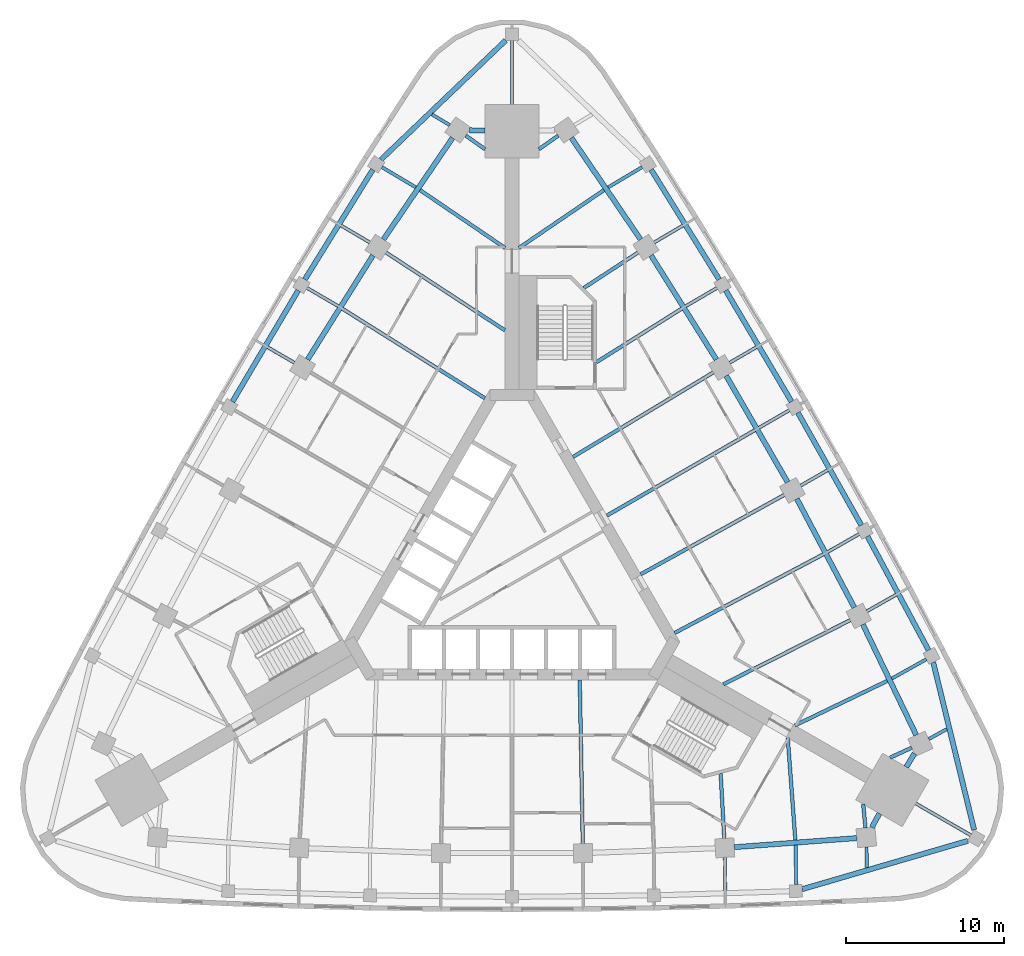
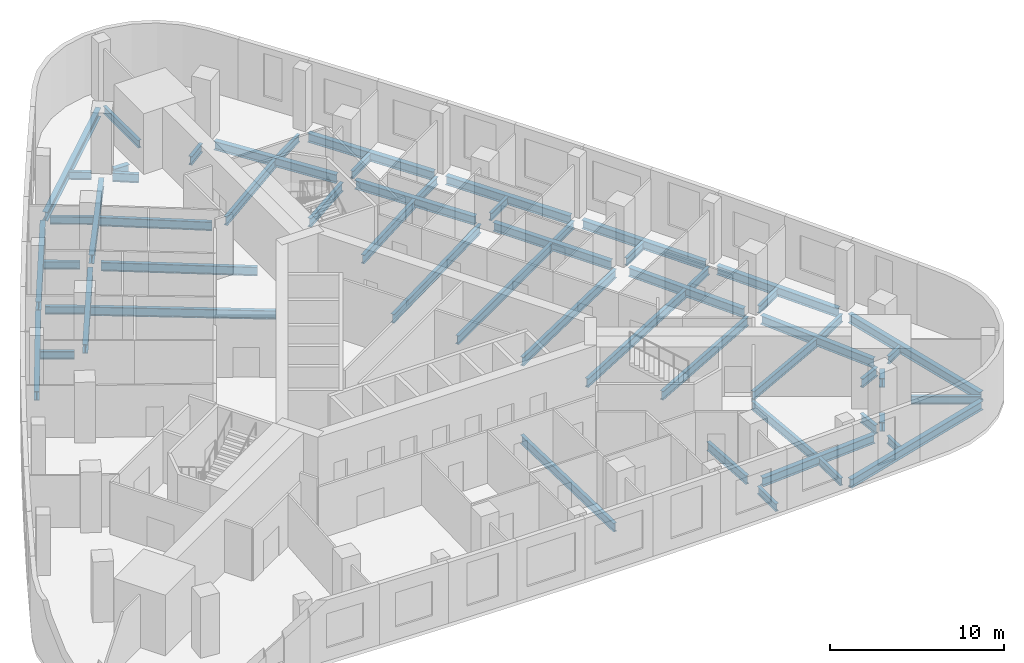
# One storey, part 2 of 11: 59 beams.
"""IFC4 building model written with IfcOpenShell, lengths in metres."""

from ifc_helpers import new_model, si_unit, direction, frame, origin, origin_2d, place, context, subcontext, project, spatial, i_section, extrude, material, material_profile, profile_set, type_object, element, save


model = new_model("IFC4")

# Units and contexts
model_context = context("Model", 3, precision=1e-05, world=origin(), true_north=direction((0.0, 1.0)))
body_context = subcontext(model_context, "Body", "Model", "MODEL_VIEW")
ifc_project = project(units=[si_unit("LENGTHUNIT", "METRE"), si_unit("AREAUNIT", "SQUARE_METRE"), si_unit("VOLUMEUNIT", "CUBIC_METRE"), si_unit("PLANEANGLEUNIT", "RADIAN"), si_unit("MASSUNIT", "GRAM", prefix="KILO")], contexts=[model_context])

# Site, building, storey
site_placement = place(None, origin())
site = spatial("IfcSite", under=ifc_project, at=site_placement, CompositionType="ELEMENT")
building_placement = place(site_placement, origin())
building = spatial("IfcBuilding", under=site, at=building_placement, Name="Noor Cloister Tower", CompositionType="ELEMENT")
storey_placement = place(building_placement, frame((0.0, 0.0, 10.5)))
storey = spatial("IfcBuildingStorey", under=building, at=storey_placement, Name="L02", CompositionType="ELEMENT", Elevation=10.5)

# Beams
ifc_material_1 = material(Name="Steel ASTM A992 Gr 50", Category="steel")
ifc_material_profile_1 = material_profile(ifc_material_1, i_section(OverallWidth=0.324951171875, OverallDepth=0.612060546875, WebThickness=0.0126953125, FlangeThickness=0.01904296875, FilletRadius=0.0126953125, at=origin_2d()), Name="W610x155")
ifc_profile_set_1 = profile_set([ifc_material_profile_1], Name="Steel ASTM A992 Gr 50")
beam_type_1 = type_object("IfcBeamType", Name="Podium column line beam W610x155", PredefinedType="BEAM", material=ifc_profile_set_1)
for number, where, z_axis, x_axis, name in (
    (1, (-3.7587890625, 27.36376953125, -0.555908203125), (-0.562836146896, -0.826568491867, 0.0), (0.826568491867, -0.562836146896, 0.0), "Podium column line beam NW 00 L02"),
    (2, (-8.7939453125, 19.9296875, -0.555908203125), (-0.531794830589, -0.846873224373, 0.0), (0.846873224373, -0.531794830589, 0.0), "Podium column line beam NW 02 L02"),
):
    element("IfcBeam", number, at=place(storey_placement, frame(where, z_axis=z_axis, x_axis=x_axis)), inside=storey, type_object=beam_type_1, Name=name, PredefinedType="BEAM", context=body_context, shape_type="SweptSolid", body=[
        extrude(i_section(OverallWidth=0.324951171875, OverallDepth=0.612060546875, WebThickness=0.0126953125, FlangeThickness=0.01904296875, FilletRadius=0.0126953125, at=origin_2d()), origin(), (0.0, 0.0, 1.0), 7.77880859375),
    ])
beam_1_placement = place(storey_placement, frame((14.060791015625, -17.513916015625, -0.555908203125), z_axis=(0.997246218275, 0.074161850945, 0.0), x_axis=(-0.074161850945, 0.997246218275, 0.0)))
element("IfcBeam", 3, at=beam_1_placement, inside=storey, type_object=beam_type_1, Name="Podium column line beam S 08 L02", PredefinedType="BEAM", context=body_context, shape_type="SweptSolid", body=[
    extrude(i_section(OverallWidth=0.324951171875, OverallDepth=0.612060546875, WebThickness=0.0126953125, FlangeThickness=0.01904296875, FilletRadius=0.0126953125, at=origin_2d()), origin(), (0.0, 0.0, 1.0), 7.779052734375),
])
for number, where, z_axis, x_axis, name in (
    (4, (25.5771484375, -10.4267578125, -0.555908203125), (-0.434400589533, 0.900719783181, 0.0), (-0.900719783181, -0.434400589533, 0.0), "Podium column line beam NE 00 L02"),
    (5, (21.65673828125, -2.34912109375, -0.555908203125), (-0.467547366886, 0.883968019624, 0.0), (-0.883968019624, -0.467547366886, 0.0), "Podium column line beam NE 02 L02"),
):
    element("IfcBeam", number, at=place(storey_placement, frame(where, z_axis=z_axis, x_axis=x_axis)), inside=storey, type_object=beam_type_1, Name=name, PredefinedType="BEAM", context=body_context, shape_type="SweptSolid", body=[
        extrude(i_section(OverallWidth=0.324951171875, OverallDepth=0.612060546875, WebThickness=0.0126953125, FlangeThickness=0.01904296875, FilletRadius=0.0126953125, at=origin_2d()), origin(), (0.0, 0.0, 1.0), 7.77880859375),
    ])
beam_2_placement = place(storey_placement, frame((17.439208984375, 5.577392578125, -0.555908203125), z_axis=(-0.499990506207, 0.866030884959, 0.0), x_axis=(-0.866030884959, -0.499990506207, 0.0)))
element("IfcBeam", 6, at=beam_2_placement, inside=storey, type_object=beam_type_1, Name="Podium column line beam NE 04 L02", PredefinedType="BEAM", context=body_context, shape_type="SweptSolid", body=[
    extrude(i_section(OverallWidth=0.324951171875, OverallDepth=0.612060546875, WebThickness=0.0126953125, FlangeThickness=0.01904296875, FilletRadius=0.0126953125, at=origin_2d()), origin(), (0.0, 0.0, 1.0), 7.779052734375),
])
for number, where, z_axis, x_axis, name in (
    (7, (12.9306640625, 13.342041015625, -0.555908203125), (-0.531794830589, 0.846873224373, 0.0), (-0.846873224373, -0.531794830589, 0.0), "Podium column line beam NE 06 L02"),
    (8, (8.136962890625, 20.93408203125, -0.555908203125), (-0.562836146896, 0.826568491867, 0.0), (-0.826568491867, -0.562836146896, 0.0), "Podium column line beam NE 08 L02"),
):
    element("IfcBeam", number, at=place(storey_placement, frame(where, z_axis=z_axis, x_axis=x_axis)), inside=storey, type_object=beam_type_1, Name=name, PredefinedType="BEAM", context=body_context, shape_type="SweptSolid", body=[
        extrude(i_section(OverallWidth=0.324951171875, OverallDepth=0.612060546875, WebThickness=0.0126953125, FlangeThickness=0.01904296875, FilletRadius=0.0126953125, at=origin_2d()), origin(), (0.0, 0.0, 1.0), 7.77880859375),
    ])
for number, where, z_axis, x_axis, name in (
    (9, (-2.6962890625, 27.8447265625, -0.555908203125), (0.999788233423, -0.020578831563, 0.0), (0.020578831563, 0.999788233423, 0.0), "Podium end beam NW 00 L02"),
    (10, (22.76611328125, -16.257568359375, -0.555908203125), (0.48185292196, 0.876252110753, 0.0), (-0.876252110753, 0.48185292196, 0.0), "Podium end beam S 10 L02"),
    (11, (25.46240234375, -11.58740234375, -0.555908203125), (-0.517698861359, -0.855562907651, 0.0), (0.855562907651, -0.517698861359, 0.0), "Podium end beam NE 00 L02"),
):
    element("IfcBeam", number, at=place(storey_placement, frame(where, z_axis=z_axis, x_axis=x_axis)), inside=storey, type_object=beam_type_1, Name=name, PredefinedType="BEAM", context=body_context, shape_type="SweptSolid", body=[
        extrude(i_section(OverallWidth=0.324951171875, OverallDepth=0.612060546875, WebThickness=0.0126953125, FlangeThickness=0.01904296875, FilletRadius=0.0126953125, at=origin_2d()), origin(), (0.0, 0.0, 1.0), 0.99658203125),
    ])
ifc_material_2 = material(Name="Steel ASTM A992 Gr 50", Category="steel")
ifc_material_profile_2 = material_profile(ifc_material_2, i_section(OverallWidth=0.324951171875, OverallDepth=0.616943359375, WebThickness=0.013916015625, FlangeThickness=0.021484375, FilletRadius=0.0126953125, at=origin_2d()), Name="W610x174")
ifc_profile_set_2 = profile_set([ifc_material_profile_2], Name="Steel ASTM A992 Gr 50")
beam_type_2 = type_object("IfcBeamType", Name="Podium perimeter beam W610x174", PredefinedType="BEAM", material=ifc_profile_set_2)
beam_3_placement = place(storey_placement, frame((-0.39990234375, 33.530517578125, -0.55859375), z_axis=(-0.722642827837, -0.691221631154, 0.0), x_axis=(0.691221631154, -0.722642827837, 0.0)))
element("IfcBeam", 12, at=beam_3_placement, inside=storey, type_object=beam_type_2, Name="Podium perimeter beam 01 L02", PredefinedType="BEAM", context=body_context, shape_type="SweptSolid", body=[
    extrude(i_section(OverallWidth=0.324951171875, OverallDepth=0.616943359375, WebThickness=0.013916015625, FlangeThickness=0.021484375, FilletRadius=0.0126953125, at=origin_2d()), origin(), (0.0, 0.0, 1.0), 10.924560546875),
])
beam_4_placement = place(storey_placement, frame((-8.802978515625, 25.3544921875, -0.55859375), z_axis=(-0.526431670639, -0.85021744051, 0.0), x_axis=(0.85021744051, -0.526431670639, 0.0)))
element("IfcBeam", 13, at=beam_4_placement, inside=storey, type_object=beam_type_2, Name="Podium perimeter beam 02 L02", PredefinedType="BEAM", context=body_context, shape_type="SweptSolid", body=[
    extrude(i_section(OverallWidth=0.324951171875, OverallDepth=0.616943359375, WebThickness=0.013916015625, FlangeThickness=0.021484375, FilletRadius=0.0126953125, at=origin_2d()), origin(), (0.0, 0.0, 1.0), 8.180419921875),
])
beam_5_placement = place(storey_placement, frame((-13.5234375, 17.71484375, -0.55859375), z_axis=(-0.508871084259, -0.860842738022, 0.0), x_axis=(0.860842738022, -0.508871084259, 0.0)))
element("IfcBeam", 14, at=beam_5_placement, inside=storey, type_object=beam_type_2, Name="Podium perimeter beam 03 L02", PredefinedType="BEAM", context=body_context, shape_type="SweptSolid", body=[
    extrude(i_section(OverallWidth=0.324951171875, OverallDepth=0.616943359375, WebThickness=0.013916015625, FlangeThickness=0.021484375, FilletRadius=0.0126953125, at=origin_2d()), origin(), (0.0, 0.0, 1.0), 8.18017578125),
])
for number, where, z_axis, x_axis, name in (
    (15, (18.3515625, -20.1728515625, -0.55859375), (0.959935397728, 0.280221398522, 0.0), (-0.280221398522, 0.959935397728, 0.0), "Podium perimeter beam 12 L02"),
    (16, (29.23828125, -16.4189453125, -0.55859375), (-0.237289539542, 0.971438971024, 0.0), (-0.971438971024, -0.237289539542, 0.0), "Podium perimeter beam 13 L02"),
):
    element("IfcBeam", number, at=place(storey_placement, frame(where, z_axis=z_axis, x_axis=x_axis)), inside=storey, type_object=beam_type_2, Name=name, PredefinedType="BEAM", context=body_context, shape_type="SweptSolid", body=[
        extrude(i_section(OverallWidth=0.324951171875, OverallDepth=0.616943359375, WebThickness=0.013916015625, FlangeThickness=0.021484375, FilletRadius=0.0126953125, at=origin_2d()), origin(), (0.0, 0.0, 1.0), 10.924560546875),
    ])
for number, where, z_axis, x_axis, name in (
    (17, (26.35888671875, -5.0537109375, -0.55859375), (-0.47307258725, 0.881023454394, 0.0), (-0.881023454394, -0.47307258725, 0.0), "Podium perimeter beam 14 L02"),
    (18, (22.103271484375, 2.854248046875, -0.55859375), (-0.491071539523, 0.871119247331, 0.0), (-0.871119247331, -0.491071539523, 0.0), "Podium perimeter beam 15 L02"),
    (19, (17.68603515625, 10.673095703125, -0.55859375), (-0.508871084259, 0.860842738022, 0.0), (-0.860842738022, -0.508871084259, 0.0), "Podium perimeter beam 16 L02"),
):
    element("IfcBeam", number, at=place(storey_placement, frame(where, z_axis=z_axis, x_axis=x_axis)), inside=storey, type_object=beam_type_2, Name=name, PredefinedType="BEAM", context=body_context, shape_type="SweptSolid", body=[
        extrude(i_section(OverallWidth=0.324951171875, OverallDepth=0.616943359375, WebThickness=0.013916015625, FlangeThickness=0.021484375, FilletRadius=0.0126953125, at=origin_2d()), origin(), (0.0, 0.0, 1.0), 8.18017578125),
    ])
beam_6_placement = place(storey_placement, frame((13.109375, 18.3994140625, -0.55859375), z_axis=(-0.526431670639, 0.85021744051, 0.0), x_axis=(-0.85021744051, -0.526431670639, 0.0)))
element("IfcBeam", 20, at=beam_6_placement, inside=storey, type_object=beam_type_2, Name="Podium perimeter beam 17 L02", PredefinedType="BEAM", context=body_context, shape_type="SweptSolid", body=[
    extrude(i_section(OverallWidth=0.324951171875, OverallDepth=0.616943359375, WebThickness=0.013916015625, FlangeThickness=0.021484375, FilletRadius=0.0126953125, at=origin_2d()), origin(), (0.0, 0.0, 1.0), 8.180419921875),
])
ifc_material_3 = material(Name="Steel ASTM A992 Gr 50", Category="steel")
ifc_material_profile_3 = material_profile(ifc_material_3, i_section(OverallWidth=0.22900390625, OverallDepth=0.612060546875, WebThickness=0.011962890625, FlangeThickness=0.01953125, FilletRadius=0.0126953125, at=origin_2d()), Name="W610x125")
ifc_profile_set_3 = profile_set([ifc_material_profile_3], Name="Steel ASTM A992 Gr 50")
beam_type_3 = type_object("IfcBeamType", Name="Podium radial beam W610x125", PredefinedType="BEAM", material=ifc_profile_set_3)
beam_7_placement = place(storey_placement, frame((-2.931396484375, 27.512939453125, -0.555908203125), z_axis=(0.816011763041, -0.578035295271, 0.0), x_axis=(0.578035295271, 0.816011763041, 0.0)))
element("IfcBeam", 21, at=beam_7_placement, inside=storey, type_object=beam_type_3, Name="Podium radial beam NW 00 L02", PredefinedType="BEAM", context=body_context, shape_type="SweptSolid", body=[
    extrude(i_section(OverallWidth=0.22900390625, OverallDepth=0.612060546875, WebThickness=0.011962890625, FlangeThickness=0.01953125, FilletRadius=0.0126953125, at=origin_2d()), origin(), (0.0, 0.0, 1.0), 1.509033203125),
])
beam_8_placement = place(storey_placement, frame((-5.813720703125, 24.057373046875, -0.555908203125), z_axis=(0.826586958388, -0.562809026423, 0.0), x_axis=(0.562809026423, 0.826586958388, 0.0)))
element("IfcBeam", 22, at=beam_8_placement, inside=storey, type_object=beam_type_3, Name="Podium radial beam NW 01 L02", PredefinedType="BEAM", context=body_context, shape_type="SweptSolid", body=[
    extrude(i_section(OverallWidth=0.22900390625, OverallDepth=0.612060546875, WebThickness=0.011962890625, FlangeThickness=0.01953125, FilletRadius=0.0126953125, at=origin_2d()), origin(), (0.0, 0.0, 1.0), 6.489013671875),
])
beam_9_placement = place(storey_placement, frame((-7.97265625, 20.109619140625, -0.555908203125), z_axis=(0.836869601911, -0.547402292101, 0.0), x_axis=(0.547402292101, 0.836869601911, 0.0)))
element("IfcBeam", 23, at=beam_9_placement, inside=storey, type_object=beam_type_3, Name="Podium radial beam NW 02 L02", PredefinedType="BEAM", context=body_context, shape_type="SweptSolid", body=[
    extrude(i_section(OverallWidth=0.22900390625, OverallDepth=0.612060546875, WebThickness=0.011962890625, FlangeThickness=0.01953125, FilletRadius=0.0126953125, at=origin_2d()), origin(), (0.0, 0.0, 1.0), 8.989013671875),
])
beam_10_placement = place(storey_placement, frame((-10.724609375, 16.549560546875, -0.555908203125), z_axis=(0.846875091453, -0.531791857287, 0.0), x_axis=(0.531791857287, 0.846875091453, 0.0)))
element("IfcBeam", 24, at=beam_10_placement, inside=storey, type_object=beam_type_3, Name="Podium radial beam NW 03 L02", PredefinedType="BEAM", context=body_context, shape_type="SweptSolid", body=[
    extrude(i_section(OverallWidth=0.22900390625, OverallDepth=0.612060546875, WebThickness=0.011962890625, FlangeThickness=0.01953125, FilletRadius=0.0126953125, at=origin_2d()), origin(), (0.0, 0.0, 1.0), 10.6416015625),
])
beam_11_placement = place(storey_placement, frame((4.478515625, -17.29150390625, -0.555908203125), z_axis=(-0.018560692037, 0.999827735518, 0.0), x_axis=(-0.999827735518, -0.018560692037, 0.0)))
element("IfcBeam", 25, at=beam_11_placement, inside=storey, type_object=beam_type_3, Name="Podium radial beam S 06 L02", PredefinedType="BEAM", context=body_context, shape_type="SweptSolid", body=[
    extrude(i_section(OverallWidth=0.22900390625, OverallDepth=0.612060546875, WebThickness=0.011962890625, FlangeThickness=0.01953125, FilletRadius=0.0126953125, at=origin_2d()), origin(), (0.0, 0.0, 1.0), 10.364990234375),
])
beam_12_placement = place(storey_placement, frame((13.428955078125, -16.959228515625, -0.555908203125), z_axis=(-0.055591728913, 0.998453584137, 0.0), x_axis=(-0.998453584137, -0.055591728913, 0.0)))
element("IfcBeam", 26, at=beam_12_placement, inside=storey, type_object=beam_type_3, Name="Podium radial beam S 08 L02", PredefinedType="BEAM", context=body_context, shape_type="SweptSolid", body=[
    extrude(i_section(OverallWidth=0.22900390625, OverallDepth=0.612060546875, WebThickness=0.011962890625, FlangeThickness=0.01953125, FilletRadius=0.0126953125, at=origin_2d()), origin(), (0.0, 0.0, 1.0), 4.110595703125),
])
beam_13_placement = place(storey_placement, frame((17.927490234375, -17.0634765625, -0.555908203125), z_axis=(-0.074118366359, 0.997249451125, 0.0), x_axis=(-0.997249451125, -0.074118366359, 0.0)))
element("IfcBeam", 27, at=beam_13_placement, inside=storey, type_object=beam_type_3, Name="Podium radial beam S 09 L02", PredefinedType="BEAM", context=body_context, shape_type="SweptSolid", body=[
    extrude(i_section(OverallWidth=0.22900390625, OverallDepth=0.612060546875, WebThickness=0.011962890625, FlangeThickness=0.01953125, FilletRadius=0.0126953125, at=origin_2d()), origin(), (0.0, 0.0, 1.0), 6.489013671875),
])
for number, where, z_axis, x_axis, name in (
    (28, (22.361328125, -16.295166015625, -0.555908203125), (-0.09269423525, 0.995694621233, 0.0), (-0.995694621233, -0.09269423525, 0.0), "Podium radial beam S 10 L02"),
    (29, (25.292724609375, -11.2177734375, -0.555908203125), (-0.908602193803, -0.417662607157, 0.0), (0.417662607157, -0.908602193803, 0.0), "Podium radial beam NE 00 L02"),
):
    element("IfcBeam", number, at=place(storey_placement, frame(where, z_axis=z_axis, x_axis=x_axis)), inside=storey, type_object=beam_type_3, Name=name, PredefinedType="BEAM", context=body_context, shape_type="SweptSolid", body=[
        extrude(i_section(OverallWidth=0.22900390625, OverallDepth=0.612060546875, WebThickness=0.011962890625, FlangeThickness=0.01953125, FilletRadius=0.0126953125, at=origin_2d()), origin(), (0.0, 0.0, 1.0), 1.50927734375),
    ])
beam_14_placement = place(storey_placement, frame((23.7412109375, -6.993896484375, -0.555908203125), z_axis=(-0.900702438264, -0.43443655199, 0.0), x_axis=(0.43443655199, -0.900702438264, 0.0)))
element("IfcBeam", 30, at=beam_14_placement, inside=storey, type_object=beam_type_3, Name="Podium radial beam NE 01 L02", PredefinedType="BEAM", context=body_context, shape_type="SweptSolid", body=[
    extrude(i_section(OverallWidth=0.22900390625, OverallDepth=0.612060546875, WebThickness=0.011962890625, FlangeThickness=0.01953125, FilletRadius=0.0126953125, at=origin_2d()), origin(), (0.0, 0.0, 1.0), 6.489013671875),
])
beam_15_placement = place(storey_placement, frame((21.401611328125, -3.150146484375, -0.555908203125), z_axis=(-0.892490546955, -0.451066096705, 0.0), x_axis=(0.451066096705, -0.892490546955, 0.0)))
element("IfcBeam", 31, at=beam_15_placement, inside=storey, type_object=beam_type_3, Name="Podium radial beam NE 02 L02", PredefinedType="BEAM", context=body_context, shape_type="SweptSolid", body=[
    extrude(i_section(OverallWidth=0.22900390625, OverallDepth=0.612060546875, WebThickness=0.011962890625, FlangeThickness=0.01953125, FilletRadius=0.0126953125, at=origin_2d()), origin(), (0.0, 0.0, 1.0), 8.989013671875),
])
beam_16_placement = place(storey_placement, frame((19.694580078125, 1.01318359375, -0.555908203125), z_axis=(-0.883975349121, -0.467533509116, 0.0), x_axis=(0.467533509116, -0.883975349121, 0.0)))
element("IfcBeam", 32, at=beam_16_placement, inside=storey, type_object=beam_type_3, Name="Podium radial beam NE 03 L02", PredefinedType="BEAM", context=body_context, shape_type="SweptSolid", body=[
    extrude(i_section(OverallWidth=0.22900390625, OverallDepth=0.612060546875, WebThickness=0.011962890625, FlangeThickness=0.01953125, FilletRadius=0.0126953125, at=origin_2d()), origin(), (0.0, 0.0, 1.0), 10.6416015625),
])
beam_17_placement = place(storey_placement, frame((17.214111328125, 4.767333984375, -0.555908203125), z_axis=(-0.875152039929, -0.483848020568, 0.0), x_axis=(0.483848020568, -0.875152039929, 0.0)))
element("IfcBeam", 33, at=beam_17_placement, inside=storey, type_object=beam_type_3, Name="Podium radial beam NE 04 L02", PredefinedType="BEAM", context=body_context, shape_type="SweptSolid", body=[
    extrude(i_section(OverallWidth=0.22900390625, OverallDepth=0.612060546875, WebThickness=0.011962890625, FlangeThickness=0.01953125, FilletRadius=0.0126953125, at=origin_2d()), origin(), (0.0, 0.0, 1.0), 10.364990234375),
])
beam_18_placement = place(storey_placement, frame((15.353759765625, 8.864501953125, -0.555908203125), z_axis=(-0.866025607992, -0.499999646302, 0.0), x_axis=(0.499999646302, -0.866025607992, 0.0)))
element("IfcBeam", 34, at=beam_18_placement, inside=storey, type_object=beam_type_3, Name="Podium radial beam NE 05 L02", PredefinedType="BEAM", context=body_context, shape_type="SweptSolid", body=[
    extrude(i_section(OverallWidth=0.22900390625, OverallDepth=0.612060546875, WebThickness=0.011962890625, FlangeThickness=0.01953125, FilletRadius=0.0126953125, at=origin_2d()), origin(), (0.0, 0.0, 1.0), 10.80078125),
])
beam_19_placement = place(storey_placement, frame((12.73583984375, 12.524169921875, -0.555908203125), z_axis=(-0.856606308575, -0.515970572911, 0.0), x_axis=(0.515970572911, -0.856606308575, 0.0)))
element("IfcBeam", 35, at=beam_19_placement, inside=storey, type_object=beam_type_3, Name="Podium radial beam NE 06 L02", PredefinedType="BEAM", context=body_context, shape_type="SweptSolid", body=[
    extrude(i_section(OverallWidth=0.22900390625, OverallDepth=0.612060546875, WebThickness=0.011962890625, FlangeThickness=0.01953125, FilletRadius=0.0126953125, at=origin_2d()), origin(), (0.0, 0.0, 1.0), 10.365234375),
])
beam_20_placement = place(storey_placement, frame((10.724609375, 16.549560546875, -0.555908203125), z_axis=(-0.846869093356, -0.531801409098, 0.0), x_axis=(0.531801409098, -0.846869093356, 0.0)))
element("IfcBeam", 36, at=beam_20_placement, inside=storey, type_object=beam_type_3, Name="Podium radial beam NE 07 L02", PredefinedType="BEAM", context=body_context, shape_type="SweptSolid", body=[
    extrude(i_section(OverallWidth=0.22900390625, OverallDepth=0.612060546875, WebThickness=0.011962890625, FlangeThickness=0.01953125, FilletRadius=0.0126953125, at=origin_2d()), origin(), (0.0, 0.0, 1.0), 6.36328125),
])
beam_21_placement = place(storey_placement, frame((7.97265625, 20.109619140625, -0.555908203125), z_axis=(-0.836852408304, -0.547428576816, 0.0), x_axis=(0.547428576816, -0.836852408304, 0.0)))
element("IfcBeam", 37, at=beam_21_placement, inside=storey, type_object=beam_type_3, Name="Podium radial beam NE 08 L02", PredefinedType="BEAM", context=body_context, shape_type="SweptSolid", body=[
    extrude(i_section(OverallWidth=0.22900390625, OverallDepth=0.612060546875, WebThickness=0.011962890625, FlangeThickness=0.01953125, FilletRadius=0.0126953125, at=origin_2d()), origin(), (0.0, 0.0, 1.0), 4.110595703125),
])
beam_22_placement = place(storey_placement, frame((5.813720703125, 24.057373046875, -0.555908203125), z_axis=(-0.826586958388, -0.562809026423, 0.0), x_axis=(0.562809026423, -0.826586958388, 0.0)))
element("IfcBeam", 38, at=beam_22_placement, inside=storey, type_object=beam_type_3, Name="Podium radial beam NE 09 L02", PredefinedType="BEAM", context=body_context, shape_type="SweptSolid", body=[
    extrude(i_section(OverallWidth=0.22900390625, OverallDepth=0.612060546875, WebThickness=0.011962890625, FlangeThickness=0.01953125, FilletRadius=0.0126953125, at=origin_2d()), origin(), (0.0, 0.0, 1.0), 6.489013671875),
])
beam_23_placement = place(storey_placement, frame((2.931396484375, 27.512939453125, -0.555908203125), z_axis=(-0.816011763041, -0.578035295271, 0.0), x_axis=(0.578035295271, -0.816011763041, 0.0)))
element("IfcBeam", 39, at=beam_23_placement, inside=storey, type_object=beam_type_3, Name="Podium radial beam NE 10 L02", PredefinedType="BEAM", context=body_context, shape_type="SweptSolid", body=[
    extrude(i_section(OverallWidth=0.22900390625, OverallDepth=0.612060546875, WebThickness=0.011962890625, FlangeThickness=0.01953125, FilletRadius=0.0126953125, at=origin_2d()), origin(), (0.0, 0.0, 1.0), 1.509033203125),
])
ifc_material_4 = material(Name="Steel ASTM A992 Gr 50", Category="steel")
ifc_material_profile_4 = material_profile(ifc_material_4, i_section(OverallWidth=0.208984375, OverallDepth=0.532958984375, WebThickness=0.01025390625, FlangeThickness=0.015625, FilletRadius=0.0126953125, at=origin_2d()), Name="W530x92")
ifc_profile_set_4 = profile_set([ifc_material_profile_4], Name="Steel ASTM A992 Gr 50")
beam_type_4 = type_object("IfcBeamType", Name="Podium stub beam W530x92", PredefinedType="BEAM", material=ifc_profile_set_4)
beam_24_placement = place(storey_placement, frame((-3.936767578125, 28.169921875, -0.5166015625), z_axis=(-0.85703318355, 0.515261217534, 0.0), x_axis=(-0.515261217534, -0.85703318355, 0.0)))
element("IfcBeam", 40, at=beam_24_placement, inside=storey, type_object=beam_type_4, Name="Podium stub beam NW 00 L02", PredefinedType="BEAM", context=body_context, shape_type="SweptSolid", body=[
    extrude(i_section(OverallWidth=0.208984375, OverallDepth=0.532958984375, WebThickness=0.01025390625, FlangeThickness=0.015625, FilletRadius=0.0126953125, at=origin_2d()), origin(), (0.0, 0.0, 1.0), 1.31298828125),
])
beam_25_placement = place(storey_placement, frame((-6.08642578125, 24.234375, -0.5166015625), z_axis=(-0.859392031869, 0.511317255292, 0.0), x_axis=(-0.511317255292, -0.859392031869, 0.0)))
element("IfcBeam", 41, at=beam_25_placement, inside=storey, type_object=beam_type_4, Name="Podium stub beam NW 01 L02", PredefinedType="BEAM", context=body_context, shape_type="SweptSolid", body=[
    extrude(i_section(OverallWidth=0.208984375, OverallDepth=0.532958984375, WebThickness=0.01025390625, FlangeThickness=0.015625, FilletRadius=0.0126953125, at=origin_2d()), origin(), (0.0, 0.0, 1.0), 2.4990234375),
])
beam_26_placement = place(storey_placement, frame((-8.9921875, 20.7431640625, -0.5166015625), z_axis=(-0.861388026726, 0.507947504583, 0.0), x_axis=(-0.507947504583, -0.861388026726, 0.0)))
element("IfcBeam", 42, at=beam_26_placement, inside=storey, type_object=beam_type_4, Name="Podium stub beam NW 02 L02", PredefinedType="BEAM", context=body_context, shape_type="SweptSolid", body=[
    extrude(i_section(OverallWidth=0.208984375, OverallDepth=0.532958984375, WebThickness=0.01025390625, FlangeThickness=0.015625, FilletRadius=0.0126953125, at=origin_2d()), origin(), (0.0, 0.0, 1.0), 2.104736328125),
])
beam_27_placement = place(storey_placement, frame((-11.001953125, 16.71923828125, -0.5166015625), z_axis=(-0.863117063039, 0.505003896511, 0.0), x_axis=(-0.505003896511, -0.863117063039, 0.0)))
element("IfcBeam", 43, at=beam_27_placement, inside=storey, type_object=beam_type_4, Name="Podium stub beam NW 03 L02", PredefinedType="BEAM", context=body_context, shape_type="SweptSolid", body=[
    extrude(i_section(OverallWidth=0.208984375, OverallDepth=0.532958984375, WebThickness=0.01025390625, FlangeThickness=0.015625, FilletRadius=0.0126953125, at=origin_2d()), origin(), (0.0, 0.0, 1.0), 2.277099609375),
])
beam_28_placement = place(storey_placement, frame((-13.7685546875, 13.13525390625, -0.5166015625), z_axis=(-0.864596671595, 0.502466511786, 0.0), x_axis=(-0.502466511786, -0.864596671595, 0.0)))
element("IfcBeam", 44, at=beam_28_placement, inside=storey, type_object=beam_type_4, Name="Podium stub beam NW 04 L02", PredefinedType="BEAM", context=body_context, shape_type="SweptSolid", body=[
    extrude(i_section(OverallWidth=0.208984375, OverallDepth=0.532958984375, WebThickness=0.01025390625, FlangeThickness=0.015625, FilletRadius=0.0126953125, at=origin_2d()), origin(), (0.0, 0.0, 1.0), 1.95703125),
])
beam_29_placement = place(storey_placement, frame((13.468017578125, -18.158935546875, -0.5166015625), z_axis=(0.009163285382, -0.999958016219, 0.0), x_axis=(0.999958016219, 0.009163285382, 0.0)))
element("IfcBeam", 45, at=beam_29_placement, inside=storey, type_object=beam_type_4, Name="Podium stub beam S 08 L02", PredefinedType="BEAM", context=body_context, shape_type="SweptSolid", body=[
    extrude(i_section(OverallWidth=0.208984375, OverallDepth=0.532958984375, WebThickness=0.01025390625, FlangeThickness=0.015625, FilletRadius=0.0126953125, at=origin_2d()), origin(), (0.0, 0.0, 1.0), 2.104736328125),
])
beam_30_placement = place(storey_placement, frame((17.9443359375, -17.38818359375, -0.5166015625), z_axis=(0.013089929593, -0.999914323201, 0.0), x_axis=(0.999914323201, 0.013089929593, 0.0)))
element("IfcBeam", 46, at=beam_30_placement, inside=storey, type_object=beam_type_4, Name="Podium stub beam S 09 L02", PredefinedType="BEAM", context=body_context, shape_type="SweptSolid", body=[
    extrude(i_section(OverallWidth=0.208984375, OverallDepth=0.532958984375, WebThickness=0.01025390625, FlangeThickness=0.015625, FilletRadius=0.0126953125, at=origin_2d()), origin(), (0.0, 0.0, 1.0), 2.499267578125),
])
beam_31_placement = place(storey_placement, frame((22.427490234375, -17.494140625, -0.5166015625), z_axis=(0.017661803966, -0.999844018175, 0.0), x_axis=(0.999844018175, 0.017661803966, 0.0)))
element("IfcBeam", 47, at=beam_31_placement, inside=storey, type_object=beam_type_4, Name="Podium stub beam S 10 L02", PredefinedType="BEAM", context=body_context, shape_type="SweptSolid", body=[
    extrude(i_section(OverallWidth=0.208984375, OverallDepth=0.532958984375, WebThickness=0.01025390625, FlangeThickness=0.015625, FilletRadius=0.0126953125, at=origin_2d()), origin(), (0.0, 0.0, 1.0), 1.313232421875),
])
beam_32_placement = place(storey_placement, frame((26.3642578125, -10.675537109375, -0.5166015625), z_axis=(0.874735573686, 0.484600532531, 0.0), x_axis=(-0.484600532531, 0.874735573686, 0.0)))
element("IfcBeam", 48, at=beam_32_placement, inside=storey, type_object=beam_type_4, Name="Podium stub beam NE 00 L02", PredefinedType="BEAM", context=body_context, shape_type="SweptSolid", body=[
    extrude(i_section(OverallWidth=0.208984375, OverallDepth=0.532958984375, WebThickness=0.01025390625, FlangeThickness=0.015625, FilletRadius=0.0126953125, at=origin_2d()), origin(), (0.0, 0.0, 1.0), 1.31298828125),
])
beam_33_placement = place(storey_placement, frame((24.03076171875, -6.84619140625, -0.5166015625), z_axis=(0.872502684482, 0.488609317933, 0.0), x_axis=(-0.488609317933, 0.872502684482, 0.0)))
element("IfcBeam", 49, at=beam_33_placement, inside=storey, type_object=beam_type_4, Name="Podium stub beam NE 01 L02", PredefinedType="BEAM", context=body_context, shape_type="SweptSolid", body=[
    extrude(i_section(OverallWidth=0.208984375, OverallDepth=0.532958984375, WebThickness=0.01025390625, FlangeThickness=0.015625, FilletRadius=0.0126953125, at=origin_2d()), origin(), (0.0, 0.0, 1.0), 2.499267578125),
])
beam_34_placement = place(storey_placement, frame((22.460205078125, -2.583984375, -0.5166015625), z_axis=(0.870610366402, 0.491973159748, 0.0), x_axis=(-0.491973159748, 0.870610366402, 0.0)))
element("IfcBeam", 50, at=beam_34_placement, inside=storey, type_object=beam_type_4, Name="Podium stub beam NE 02 L02", PredefinedType="BEAM", context=body_context, shape_type="SweptSolid", body=[
    extrude(i_section(OverallWidth=0.208984375, OverallDepth=0.532958984375, WebThickness=0.01025390625, FlangeThickness=0.015625, FilletRadius=0.0126953125, at=origin_2d()), origin(), (0.0, 0.0, 1.0), 2.1044921875),
])
beam_35_placement = place(storey_placement, frame((19.980224609375, 1.16845703125, -0.5166015625), z_axis=(0.868954795395, 0.494891466446, 0.0), x_axis=(-0.494891466446, 0.868954795395, 0.0)))
element("IfcBeam", 51, at=beam_35_placement, inside=storey, type_object=beam_type_4, Name="Podium stub beam NE 03 L02", PredefinedType="BEAM", context=body_context, shape_type="SweptSolid", body=[
    extrude(i_section(OverallWidth=0.208984375, OverallDepth=0.532958984375, WebThickness=0.01025390625, FlangeThickness=0.015625, FilletRadius=0.0126953125, at=origin_2d()), origin(), (0.0, 0.0, 1.0), 2.277099609375),
])
beam_36_placement = place(storey_placement, frame((18.259765625, 5.356201171875, -0.5166015625), z_axis=(0.867389720101, 0.497629453974, 0.0), x_axis=(-0.497629453974, 0.867389720101, 0.0)))
element("IfcBeam", 52, at=beam_36_placement, inside=storey, type_object=beam_type_4, Name="Podium stub beam NE 04 L02", PredefinedType="BEAM", context=body_context, shape_type="SweptSolid", body=[
    extrude(i_section(OverallWidth=0.208984375, OverallDepth=0.532958984375, WebThickness=0.01025390625, FlangeThickness=0.015625, FilletRadius=0.0126953125, at=origin_2d()), origin(), (0.0, 0.0, 1.0), 1.95703125),
])
beam_37_placement = place(storey_placement, frame((15.63525390625, 9.027099609375, -0.5166015625), z_axis=(0.86602503688, 0.500000635496, 0.0), x_axis=(-0.500000635496, 0.86602503688, 0.0)))
element("IfcBeam", 53, at=beam_37_placement, inside=storey, type_object=beam_type_4, Name="Podium stub beam NE 05 L02", PredefinedType="BEAM", context=body_context, shape_type="SweptSolid", body=[
    extrude(i_section(OverallWidth=0.208984375, OverallDepth=0.532958984375, WebThickness=0.01025390625, FlangeThickness=0.015625, FilletRadius=0.0126953125, at=origin_2d()), origin(), (0.0, 0.0, 1.0), 2.203125),
])
beam_38_placement = place(storey_placement, frame((13.7685546875, 13.13525390625, -0.5166015625), z_axis=(0.864596671595, 0.502466511786, 0.0), x_axis=(-0.502466511786, 0.864596671595, 0.0)))
element("IfcBeam", 54, at=beam_38_placement, inside=storey, type_object=beam_type_4, Name="Podium stub beam NE 06 L02", PredefinedType="BEAM", context=body_context, shape_type="SweptSolid", body=[
    extrude(i_section(OverallWidth=0.208984375, OverallDepth=0.532958984375, WebThickness=0.01025390625, FlangeThickness=0.015625, FilletRadius=0.0126953125, at=origin_2d()), origin(), (0.0, 0.0, 1.0), 1.95703125),
])
beam_39_placement = place(storey_placement, frame((11.001953125, 16.71923828125, -0.5166015625), z_axis=(0.863117063039, 0.505003896511, 0.0), x_axis=(-0.505003896511, 0.863117063039, 0.0)))
element("IfcBeam", 55, at=beam_39_placement, inside=storey, type_object=beam_type_4, Name="Podium stub beam NE 07 L02", PredefinedType="BEAM", context=body_context, shape_type="SweptSolid", body=[
    extrude(i_section(OverallWidth=0.208984375, OverallDepth=0.532958984375, WebThickness=0.01025390625, FlangeThickness=0.015625, FilletRadius=0.0126953125, at=origin_2d()), origin(), (0.0, 0.0, 1.0), 2.277099609375),
])
beam_40_placement = place(storey_placement, frame((8.9921875, 20.7431640625, -0.5166015625), z_axis=(0.861388026726, 0.507947504583, 0.0), x_axis=(-0.507947504583, 0.861388026726, 0.0)))
element("IfcBeam", 56, at=beam_40_placement, inside=storey, type_object=beam_type_4, Name="Podium stub beam NE 08 L02", PredefinedType="BEAM", context=body_context, shape_type="SweptSolid", body=[
    extrude(i_section(OverallWidth=0.208984375, OverallDepth=0.532958984375, WebThickness=0.01025390625, FlangeThickness=0.015625, FilletRadius=0.0126953125, at=origin_2d()), origin(), (0.0, 0.0, 1.0), 2.104736328125),
])
beam_41_placement = place(storey_placement, frame((6.08642578125, 24.234375, -0.5166015625), z_axis=(0.859392031869, 0.511317255292, 0.0), x_axis=(-0.511317255292, 0.859392031869, 0.0)))
element("IfcBeam", 57, at=beam_41_placement, inside=storey, type_object=beam_type_4, Name="Podium stub beam NE 09 L02", PredefinedType="BEAM", context=body_context, shape_type="SweptSolid", body=[
    extrude(i_section(OverallWidth=0.208984375, OverallDepth=0.532958984375, WebThickness=0.01025390625, FlangeThickness=0.015625, FilletRadius=0.0126953125, at=origin_2d()), origin(), (0.0, 0.0, 1.0), 2.4990234375),
])
for number, where, z_axis, x_axis, name in (
    (58, (0.0, 29.489013671875, -0.5166015625), (0.0, 1.0, 0.0), (-1.0, 0.0, 0.0), "Podium corner stub beam N L02"),
    (59, (25.538330078125, -14.744384765625, -0.5166015625), (0.866001699761, -0.500041054325, 0.0), (0.500041054325, 0.866001699761, 0.0), "Podium corner stub beam SE L02"),
):
    element("IfcBeam", number, at=place(storey_placement, frame(where, z_axis=z_axis, x_axis=x_axis)), inside=storey, type_object=beam_type_4, Name=name, PredefinedType="BEAM", context=body_context, shape_type="SweptSolid", body=[
        extrude(i_section(OverallWidth=0.208984375, OverallDepth=0.532958984375, WebThickness=0.01025390625, FlangeThickness=0.015625, FilletRadius=0.0126953125, at=origin_2d()), origin(), (0.0, 0.0, 1.0), 4.024169921875),
    ])

save(model, "model.ifc")
